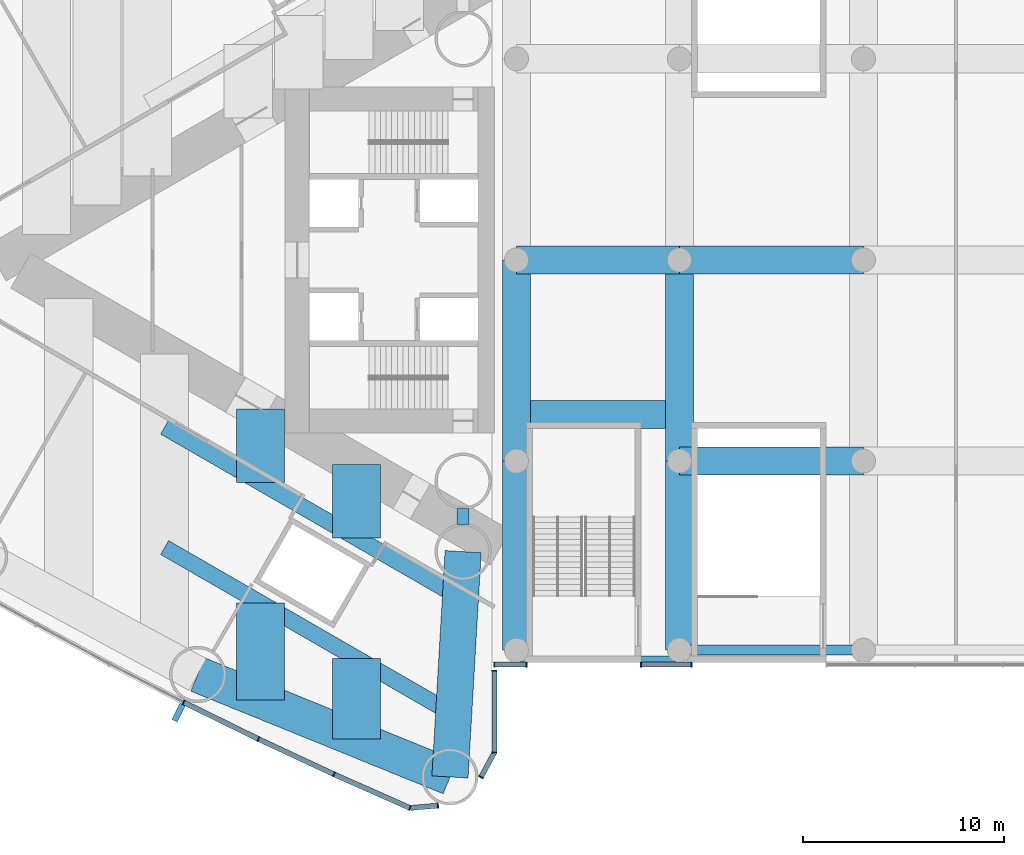
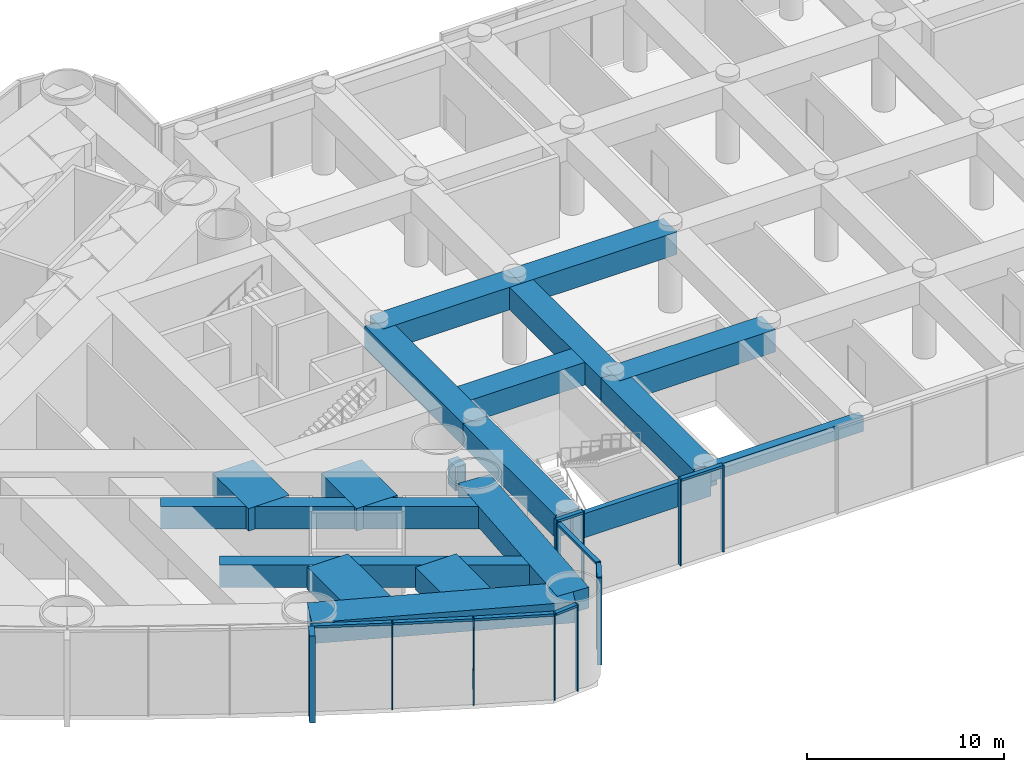
# One storey, part 3 of 20: 21 members, 19 beams, 4 elements without a shape of their own.
"""IFC4 building model written with IfcOpenShell, lengths in metres."""

from ifc_helpers import new_model, si_unit, direction, frame, origin, origin_2d, place, context, subcontext, project, spatial, rectangle, hollow_rectangle, extrude, material, material_profile, profile_set, type_object, element, aggregate, save


model = new_model("IFC4")

# Units and contexts
model_context = context("Model", 3, precision=1e-05, world=origin(), true_north=direction((0.0, 1.0)))
body_context = subcontext(model_context, "Body", "Model", "MODEL_VIEW")
ifc_project = project(units=[si_unit("LENGTHUNIT", "METRE"), si_unit("AREAUNIT", "SQUARE_METRE"), si_unit("VOLUMEUNIT", "CUBIC_METRE"), si_unit("PLANEANGLEUNIT", "RADIAN"), si_unit("MASSUNIT", "GRAM", prefix="KILO")], contexts=[model_context])

# Site, building, storey
site_placement = place(None, origin())
site = spatial("IfcSite", under=ifc_project, at=site_placement, CompositionType="ELEMENT")
building_placement = place(site_placement, origin())
building = spatial("IfcBuilding", under=site, at=building_placement, Name="Lancet Gate Hotel", CompositionType="ELEMENT")
storey_placement = place(building_placement, frame((0.0, 0.0, 7.199951171875)))
storey = spatial("IfcBuildingStorey", under=building, at=storey_placement, Name="L01", CompositionType="ELEMENT", Elevation=7.199951171875)

# Curtain wall, members
ifc_material_1 = material(Name="Aluminium curtain wall", Category="aluminium")
curtain_wall_type = type_object("IfcCurtainWallType", Name="Podium curtain wall", PredefinedType="USERDEFINED", material=ifc_material_1)
curtain_wall_1_placement = place(storey_placement, origin())
curtain_wall_1 = element("IfcCurtainWall", 1, at=curtain_wall_1_placement, inside=storey, type_object=curtain_wall_type, Name="T1 L01 curtain wall 3", ObjectType="UNITISED CURTAIN WALL", PredefinedType="USERDEFINED")
ifc_material_2 = material(Name="Aluminium mullion", Category="aluminium")
ifc_material_profile_1 = material_profile(ifc_material_2, rectangle(XDim=0.06494140625, YDim=0.25, at=origin_2d()), Name="MULLION 65x250")
ifc_profile_set_1 = profile_set([ifc_material_profile_1], Name="Aluminium mullion")
member_type_1 = type_object("IfcMemberType", Name="Aluminium mullion 65x250", PredefinedType="MULLION", material=ifc_profile_set_1)
member_1_placement = place(storey_placement, frame((-42.94189453125, -21.991943359375, 0.0), z_axis=(0.0, 0.0, 1.0), x_axis=(0.893291549794, -0.449477704748, 0.0)))
member_1 = element("IfcMember", 2, at=member_1_placement, type_object=member_type_1, Name="T1 L01 curtain wall 3 mullion 11", PredefinedType="MULLION", context=body_context, shape_type="SweptSolid", body=[
    extrude(rectangle(XDim=0.06494140625, YDim=0.25, at=origin_2d()), origin(), (0.0, 0.0, 1.0), 5.400146484375),
])
member_2_placement = place(storey_placement, frame((-39.225341796875, -23.816650390625, 0.0), z_axis=(0.0, 0.0, 1.0), x_axis=(0.901928838337, -0.431884672772, 0.0)))
member_2 = element("IfcMember", 3, at=member_2_placement, type_object=member_type_1, Name="T1 L01 curtain wall 3 mullion 12", PredefinedType="MULLION", context=body_context, shape_type="SweptSolid", body=[
    extrude(rectangle(XDim=0.06494140625, YDim=0.25, at=origin_2d()), origin(), (0.0, 0.0, 1.0), 5.400146484375),
])
member_3_placement = place(storey_placement, frame((-35.473876953125, -25.568115234375, 0.0), z_axis=(0.0, 0.0, 1.0), x_axis=(0.910219680212, -0.414125746308, 0.0)))
member_3 = element("IfcMember", 4, at=member_3_placement, type_object=member_type_1, Name="T1 L01 curtain wall 3 mullion 13", PredefinedType="MULLION", context=body_context, shape_type="SweptSolid", body=[
    extrude(rectangle(XDim=0.06494140625, YDim=0.25, at=origin_2d()), origin(), (0.0, 0.0, 1.0), 5.400146484375),
])
member_4_placement = place(storey_placement, frame((-31.688720703125, -27.24560546875, 0.0), z_axis=(0.0, 0.0, 1.0), x_axis=(0.957524354695, -0.288352406209, 0.0)))
member_4 = element("IfcMember", 5, at=member_4_placement, type_object=member_type_1, Name="T1 L01 curtain wall 3 mullion 14", PredefinedType="MULLION", context=body_context, shape_type="SweptSolid", body=[
    extrude(rectangle(XDim=0.06494140625, YDim=0.25, at=origin_2d()), origin(), (0.0, 0.0, 1.0), 5.400146484375),
])
member_5_placement = place(storey_placement, frame((-30.3046875, -27.124755859375, 0.0), z_axis=(0.0, 0.0, 1.0), x_axis=(0.99620380374, 0.087051602022, 0.0)))
member_5 = element("IfcMember", 6, at=member_5_placement, type_object=member_type_1, Name="T1 L01 curtain wall 3 mullion 15", PredefinedType="MULLION", context=body_context, shape_type="SweptSolid", body=[
    extrude(rectangle(XDim=0.06494140625, YDim=0.25, at=origin_2d()), origin(), (0.0, 0.0, 1.0), 5.400146484375),
])

curtain_wall_2_placement = place(storey_placement, origin())
curtain_wall_2 = element("IfcCurtainWall", 7, at=curtain_wall_2_placement, inside=storey, type_object=curtain_wall_type, Name="T1 L01 curtain wall 4", ObjectType="UNITISED CURTAIN WALL", PredefinedType="USERDEFINED")
member_6_placement = place(storey_placement, frame((-28.158935546875, -25.712890625, 0.0), z_axis=(0.0, 0.0, 1.0), x_axis=(0.474631040972, 0.880184852714, 0.0)))
member_6 = element("IfcMember", 8, at=member_6_placement, type_object=member_type_1, Name="T1 L01 curtain wall 4 mullion 1", PredefinedType="MULLION", context=body_context, shape_type="SweptSolid", body=[
    extrude(rectangle(XDim=0.06494140625, YDim=0.25, at=origin_2d()), origin(), (0.0, 0.0, 1.0), 5.400146484375),
])
member_7_placement = place(storey_placement, frame((-27.5, -24.4912109375, 0.0), z_axis=(0.0, 0.0, 1.0), x_axis=(0.123482502544, 0.992346749662, 0.0)))
member_7 = element("IfcMember", 9, at=member_7_placement, type_object=member_type_1, Name="T1 L01 curtain wall 4 mullion 2", PredefinedType="MULLION", context=body_context, shape_type="SweptSolid", body=[
    extrude(rectangle(XDim=0.06494140625, YDim=0.25, at=origin_2d()), origin(), (0.0, 0.0, 1.0), 5.400146484375),
])
member_8_placement = place(storey_placement, frame((-27.5, -20.41845703125, 0.0), z_axis=(0.0, 0.0, 1.0), x_axis=(0.0, 1.0, 0.0)))
member_8 = element("IfcMember", 10, at=member_8_placement, type_object=member_type_1, Name="T1 L01 curtain wall 4 mullion 3", PredefinedType="MULLION", context=body_context, shape_type="SweptSolid", body=[
    extrude(rectangle(XDim=0.06494140625, YDim=0.25, at=origin_2d()), origin(), (0.0, 0.0, 1.0), 5.400146484375),
])

curtain_wall_3_placement = place(storey_placement, origin())
curtain_wall_3 = element("IfcCurtainWall", 11, at=curtain_wall_3_placement, inside=storey, type_object=curtain_wall_type, Name="Podium L01 curtain wall S1", ObjectType="UNITISED CURTAIN WALL", PredefinedType="USERDEFINED")
member_9_placement = place(storey_placement, frame((-27.5, -20.1201171875, 0.0), z_axis=(0.0, 0.0, 1.0), x_axis=(1.0, 0.0, 0.0)))
member_9 = element("IfcMember", 12, at=member_9_placement, type_object=member_type_1, Name="Podium L01 curtain wall S1 mullion 1", PredefinedType="MULLION", context=body_context, shape_type="SweptSolid", body=[
    extrude(rectangle(XDim=0.06494140625, YDim=0.25, at=origin_2d()), origin(), (0.0, 0.0, 1.0), 5.400146484375),
])
member_10_placement = place(storey_placement, frame((-25.89990234375, -20.1201171875, 0.0), z_axis=(0.0, 0.0, 1.0), x_axis=(1.0, 0.0, 0.0)))
member_10 = element("IfcMember", 13, at=member_10_placement, type_object=member_type_1, Name="Podium L01 curtain wall S1 mullion 2", PredefinedType="MULLION", context=body_context, shape_type="SweptSolid", body=[
    extrude(rectangle(XDim=0.06494140625, YDim=0.25, at=origin_2d()), origin(), (0.0, 0.0, 1.0), 5.400146484375),
])

curtain_wall_4_placement = place(storey_placement, origin())
curtain_wall_4 = element("IfcCurtainWall", 14, at=curtain_wall_4_placement, inside=storey, type_object=curtain_wall_type, Name="Podium L01 curtain wall S2", ObjectType="UNITISED CURTAIN WALL", PredefinedType="USERDEFINED")
member_11_placement = place(storey_placement, frame((-20.199951171875, -20.1201171875, 0.0), z_axis=(0.0, 0.0, 1.0), x_axis=(1.0, 0.0, 0.0)))
member_11 = element("IfcMember", 15, at=member_11_placement, type_object=member_type_1, Name="Podium L01 curtain wall S2 mullion 1", PredefinedType="MULLION", context=body_context, shape_type="SweptSolid", body=[
    extrude(rectangle(XDim=0.06494140625, YDim=0.25, at=origin_2d()), origin(), (0.0, 0.0, 1.0), 5.400146484375),
])
member_12_placement = place(storey_placement, frame((-17.699951171875, -20.1201171875, 0.0), z_axis=(0.0, 0.0, 1.0), x_axis=(1.0, 0.0, 0.0)))
member_12 = element("IfcMember", 16, at=member_12_placement, type_object=member_type_1, Name="Podium L01 curtain wall S2 mullion 2", PredefinedType="MULLION", context=body_context, shape_type="SweptSolid", body=[
    extrude(rectangle(XDim=0.06494140625, YDim=0.25, at=origin_2d()), origin(), (0.0, 0.0, 1.0), 5.400146484375),
])

# Member
ifc_material_3 = material(Name="Aluminium transom", Category="aluminium")
ifc_material_profile_2 = material_profile(ifc_material_3, rectangle(XDim=0.25, YDim=0.14990234375, at=origin_2d()), Name="TRANSOM 250x150")
ifc_profile_set_2 = profile_set([ifc_material_profile_2], Name="Aluminium transom")
member_type_2 = type_object("IfcMemberType", Name="Aluminium transom 250x150", PredefinedType="USERDEFINED", material=ifc_profile_set_2)
member_13_placement = place(storey_placement, frame((-42.912841796875, -22.00634765625, 5.324951171875), z_axis=(0.897662439958, -0.440683723194, 0.0), x_axis=(0.440683723194, 0.897662439958, 0.0)))
member_13 = element("IfcMember", 17, at=member_13_placement, type_object=member_type_2, Name="T1 L01 curtain wall 3 transom 11", ObjectType="TRANSOM", PredefinedType="USERDEFINED", context=body_context, shape_type="SweptSolid", body=[
    extrude(rectangle(XDim=0.25, YDim=0.14990234375, at=origin_2d()), origin(), (0.0, 0.0, 1.0), 4.0751953125),
])

member_14_placement = place(storey_placement, frame((-39.196044921875, -23.830322265625, 5.324951171875), z_axis=(0.906109667261, -0.423042871228, 0.0), x_axis=(0.423042871228, 0.906109667261, 0.0)))
member_14 = element("IfcMember", 18, at=member_14_placement, type_object=member_type_2, Name="T1 L01 curtain wall 3 transom 12", ObjectType="TRANSOM", PredefinedType="USERDEFINED", context=body_context, shape_type="SweptSolid", body=[
    extrude(rectangle(XDim=0.25, YDim=0.14990234375, at=origin_2d()), origin(), (0.0, 0.0, 1.0), 4.075439453125),
])

member_15_placement = place(storey_placement, frame((-35.444091796875, -25.581298828125, 5.324951171875), z_axis=(0.914248281954, -0.405154389022, 0.0), x_axis=(0.405154389022, 0.914248281954, 0.0)))
member_15 = element("IfcMember", 19, at=member_15_placement, type_object=member_type_2, Name="T1 L01 curtain wall 3 transom 13", ObjectType="TRANSOM", PredefinedType="USERDEFINED", context=body_context, shape_type="SweptSolid", body=[
    extrude(rectangle(XDim=0.25, YDim=0.14990234375, at=origin_2d()), origin(), (0.0, 0.0, 1.0), 4.0751953125),
])

member_16_placement = place(storey_placement, frame((-31.65625, -27.242919921875, 5.324951171875), z_axis=(0.99620591587, 0.087027427779, 0.0), x_axis=(-0.087027427779, 0.99620591587, 0.0)))
member_16 = element("IfcMember", 20, at=member_16_placement, type_object=member_type_2, Name="T1 L01 curtain wall 3 transom 14", ObjectType="TRANSOM", PredefinedType="USERDEFINED", context=body_context, shape_type="SweptSolid", body=[
    extrude(rectangle(XDim=0.25, YDim=0.14990234375, at=origin_2d()), origin(), (0.0, 0.0, 1.0), 1.32421875),
])

member_17_placement = place(storey_placement, frame((-28.143310546875, -25.684326171875, 5.324951171875), z_axis=(0.474605926905, 0.880198394765, 0.0), x_axis=(-0.880198394765, 0.474605926905, 0.0)))
member_17 = element("IfcMember", 21, at=member_17_placement, type_object=member_type_2, Name="T1 L01 curtain wall 4 transom 1", ObjectType="TRANSOM", PredefinedType="USERDEFINED", context=body_context, shape_type="SweptSolid", body=[
    extrude(rectangle(XDim=0.25, YDim=0.14990234375, at=origin_2d()), origin(), (0.0, 0.0, 1.0), 1.322998046875),
])

member_18_placement = place(storey_placement, frame((-27.5, -24.458740234375, 5.324951171875), z_axis=(0.0, 1.0, 0.0), x_axis=(-1.0, 0.0, 0.0)))
member_18 = element("IfcMember", 22, at=member_18_placement, type_object=member_type_2, Name="T1 L01 curtain wall 4 transom 2", ObjectType="TRANSOM", PredefinedType="USERDEFINED", context=body_context, shape_type="SweptSolid", body=[
    extrude(rectangle(XDim=0.25, YDim=0.14990234375, at=origin_2d()), origin(), (0.0, 0.0, 1.0), 4.0078125),
])

aggregate(curtain_wall_2, [member_6, member_7, member_8, member_17, member_18])

member_19_placement = place(storey_placement, frame((-27.467529296875, -20.1201171875, 5.324951171875), z_axis=(1.0, 0.0, 0.0), x_axis=(0.0, 1.0, 0.0)))
member_19 = element("IfcMember", 23, at=member_19_placement, type_object=member_type_2, Name="Podium L01 curtain wall S1 transom 1", ObjectType="TRANSOM", PredefinedType="USERDEFINED", context=body_context, shape_type="SweptSolid", body=[
    extrude(rectangle(XDim=0.25, YDim=0.14990234375, at=origin_2d()), origin(), (0.0, 0.0, 1.0), 1.534912109375),
])

aggregate(curtain_wall_3, [member_9, member_10, member_19])

member_20_placement = place(storey_placement, frame((-20.16748046875, -20.1201171875, 5.324951171875), z_axis=(1.0, 0.0, 0.0), x_axis=(0.0, 1.0, 0.0)))
member_20 = element("IfcMember", 24, at=member_20_placement, type_object=member_type_2, Name="Podium L01 curtain wall S2 transom 1", ObjectType="TRANSOM", PredefinedType="USERDEFINED", context=body_context, shape_type="SweptSolid", body=[
    extrude(rectangle(XDim=0.25, YDim=0.14990234375, at=origin_2d()), origin(), (0.0, 0.0, 1.0), 2.43505859375),
])

aggregate(curtain_wall_4, [member_11, member_12, member_20])

# Beams
ifc_material_4 = material(Name="Concrete C50/60", Category="concrete")
ifc_material_profile_3 = material_profile(ifc_material_4, rectangle(XDim=1.800048828125, YDim=1.300048828125, at=origin_2d()), Name="RC 1800x1300")
ifc_profile_set_3 = profile_set([ifc_material_profile_3], Name="Concrete C50/60")
beam_type_1 = type_object("IfcBeamType", Name="Edge beam RC 1800x1300", PredefinedType="SPANDREL", material=ifc_profile_set_3)
beam_1_placement = place(storey_placement, frame((-42.2451171875, -20.607421875, 4.400146484375), z_axis=(0.926463236197, -0.376385270667, 0.0), x_axis=(0.376385270667, 0.926463236197, 0.0)))
element("IfcBeam", 25, at=beam_1_placement, inside=storey, type_object=beam_type_1, Name="T1 edge beam EB1 L01", PredefinedType="SPANDREL", context=body_context, shape_type="SweptSolid", body=[
    extrude(rectangle(XDim=1.800048828125, YDim=1.300048828125, at=origin_2d()), origin(), (0.0, 0.0, 1.0), 13.537353515625),
])
beam_2_placement = place(storey_placement, frame((-29.050048828125, -14.5, 4.400146484375), z_axis=(-0.058219521912, -0.998303805096, 0.0), x_axis=(0.998303805096, -0.058219521912, 0.0)))
element("IfcBeam", 26, at=beam_2_placement, inside=storey, type_object=beam_type_1, Name="T1 edge beam EB1 L01", PredefinedType="SPANDREL", context=body_context, shape_type="SweptSolid", body=[
    extrude(rectangle(XDim=1.800048828125, YDim=1.300048828125, at=origin_2d()), origin(), (0.0, 0.0, 1.0), 11.2216796875),
])

# Member
ifc_material_5 = material(Name="Precast concrete C50/60", Category="concrete")
ifc_material_profile_4 = material_profile(ifc_material_5, rectangle(XDim=0.300048828125, YDim=0.89990234375, at=origin_2d()), Name="FIN 300x900")
ifc_profile_set_4 = profile_set([ifc_material_profile_4], Name="Precast concrete C50/60")
member_type_3 = type_object("IfcMemberType", Name="Exposed concrete fin 300x900", PredefinedType="USERDEFINED", material=ifc_profile_set_4)
member_21_placement = place(storey_placement, frame((-43.200439453125, -22.505615234375, 0.0), z_axis=(0.0, 0.0, 1.0), x_axis=(0.893291549794, -0.449477704748, 0.0)))
member_21 = element("IfcMember", 27, at=member_21_placement, type_object=member_type_3, Name="T1 L01 curtain wall 3 fin 11", ObjectType="FIN", PredefinedType="USERDEFINED", context=body_context, shape_type="SweptSolid", body=[
    extrude(rectangle(XDim=0.300048828125, YDim=0.89990234375, at=origin_2d()), origin(), (0.0, 0.0, 1.0), 5.400146484375),
])

aggregate(curtain_wall_1, [member_1, member_21, member_2, member_3, member_4, member_5, member_13, member_14, member_15, member_16])

# Beams
ifc_material_6 = material(Name="Concrete C50/60", Category="concrete")
ifc_material_profile_5 = material_profile(ifc_material_6, rectangle(XDim=2.39990234375, YDim=1.39990234375, at=origin_2d()), Name="RC 2400x1400")
ifc_profile_set_5 = profile_set([ifc_material_profile_5], Name="Concrete C50/60")
beam_type_2 = type_object("IfcBeamType", Name="Floor beam RC 2400x1400", PredefinedType="BEAM", material=ifc_profile_set_5)
beam_3_placement = place(storey_placement, frame((-34.353515625, -10.169921875, 4.35009765625), z_axis=(0.0, -1.0, 0.0), x_axis=(1.0, 0.0, 0.0)))
element("IfcBeam", 28, at=beam_3_placement, inside=storey, type_object=beam_type_2, Name="T1 floor beam F03NA L01", PredefinedType="BEAM", context=body_context, shape_type="SweptSolid", body=[
    extrude(rectangle(XDim=2.39990234375, YDim=1.39990234375, at=origin_2d()), origin(), (0.0, 0.0, 1.0), 3.645751953125),
])
beam_4_placement = place(storey_placement, frame((-34.353515625, -19.802978515625, 4.35009765625), z_axis=(0.0, -1.0, 0.0), x_axis=(1.0, 0.0, 0.0)))
element("IfcBeam", 29, at=beam_4_placement, inside=storey, type_object=beam_type_2, Name="T1 floor beam F03NB L01", PredefinedType="BEAM", context=body_context, shape_type="SweptSolid", body=[
    extrude(rectangle(XDim=2.39990234375, YDim=1.39990234375, at=origin_2d()), origin(), (0.0, 0.0, 1.0), 4.010498046875),
])
beam_5_placement = place(storey_placement, frame((-39.122314453125, -7.41650390625, 4.35009765625), z_axis=(0.0, -1.0, 0.0), x_axis=(1.0, 0.0, 0.0)))
element("IfcBeam", 30, at=beam_5_placement, inside=storey, type_object=beam_type_2, Name="T1 floor beam F06NA L01", PredefinedType="BEAM", context=body_context, shape_type="SweptSolid", body=[
    extrude(rectangle(XDim=2.39990234375, YDim=1.39990234375, at=origin_2d()), origin(), (0.0, 0.0, 1.0), 3.64599609375),
])
beam_6_placement = place(storey_placement, frame((-39.122314453125, -17.0498046875, 4.35009765625), z_axis=(0.0, -1.0, 0.0), x_axis=(1.0, 0.0, 0.0)))
element("IfcBeam", 31, at=beam_6_placement, inside=storey, type_object=beam_type_2, Name="T1 floor beam F06NB L01", PredefinedType="BEAM", context=body_context, shape_type="SweptSolid", body=[
    extrude(rectangle(XDim=2.39990234375, YDim=1.39990234375, at=origin_2d()), origin(), (0.0, 0.0, 1.0), 4.826416015625),
])
ifc_material_7 = material(Name="Steel S460QL", Category="steel")
ifc_material_profile_6 = material_profile(ifc_material_7, hollow_rectangle(XDim=0.60009765625, YDim=1.5, WallThickness=0.050048828125, at=origin_2d()), Name="BOX 1500x600x50")
ifc_profile_set_6 = profile_set([ifc_material_profile_6], Name="Steel S460QL")
beam_type_3 = type_object("IfcBeamType", Name="Inner-face link beam BOX 1500x600x50", PredefinedType="BEAM", material=ifc_profile_set_6)
beam_7_placement = place(storey_placement, frame((-29.050048828125, -12.35009765625, 4.300048828125), z_axis=(0.0, -1.0, 0.0), x_axis=(1.0, 0.0, 0.0)))
element("IfcBeam", 32, at=beam_7_placement, inside=storey, type_object=beam_type_3, Name="T1 inner-face link beam LK1 L01", PredefinedType="BEAM", context=body_context, shape_type="SweptSolid", body=[
    extrude(hollow_rectangle(XDim=0.60009765625, YDim=1.5, WallThickness=0.050048828125, at=origin_2d()), origin(), (0.0, 0.0, 1.0), 0.7998046875),
])
ifc_material_8 = material(Name="Concrete C50/60", Category="concrete")
ifc_material_profile_7 = material_profile(ifc_material_8, rectangle(XDim=1.39990234375, YDim=1.39990234375, at=origin_2d()), Name="RC 1400x1400")
ifc_profile_set_7 = profile_set([ifc_material_profile_7], Name="Concrete C50/60")
beam_type_4 = type_object("IfcBeamType", Name="Podium beam RC 1400x1400", PredefinedType="BEAM", material=ifc_profile_set_7)
beam_8_placement = place(storey_placement, frame((-18.300048828125, -10.0, 4.35009765625), z_axis=(1.0, 0.0, 0.0), x_axis=(0.0, 1.0, 0.0)))
element("IfcBeam", 33, at=beam_8_placement, inside=storey, type_object=beam_type_4, Name="Podium beam B/2-3 L01", PredefinedType="BEAM", context=body_context, shape_type="SweptSolid", body=[
    extrude(rectangle(XDim=1.39990234375, YDim=1.39990234375, at=origin_2d()), origin(), (0.0, 0.0, 1.0), 9.150146484375),
])
beam_9_placement = place(storey_placement, frame((-26.39990234375, 0.0, 4.35009765625), z_axis=(1.0, 0.0, 0.0), x_axis=(0.0, 1.0, 0.0)))
element("IfcBeam", 34, at=beam_9_placement, inside=storey, type_object=beam_type_4, Name="Podium beam C/1-2 L01", PredefinedType="BEAM", context=body_context, shape_type="SweptSolid", body=[
    extrude(rectangle(XDim=1.39990234375, YDim=1.39990234375, at=origin_2d()), origin(), (0.0, 0.0, 1.0), 8.099853515625),
])
beam_10_placement = place(storey_placement, frame((-18.300048828125, 0.0, 4.35009765625), z_axis=(1.0, 0.0, 0.0), x_axis=(0.0, 1.0, 0.0)))
element("IfcBeam", 35, at=beam_10_placement, inside=storey, type_object=beam_type_4, Name="Podium beam C/2-3 L01", PredefinedType="BEAM", context=body_context, shape_type="SweptSolid", body=[
    extrude(rectangle(XDim=1.39990234375, YDim=1.39990234375, at=origin_2d()), origin(), (0.0, 0.0, 1.0), 9.150146484375),
])
beam_11_placement = place(storey_placement, frame((-25.699951171875, -7.679931640625, 4.35009765625), z_axis=(1.0, 0.0, 0.0), x_axis=(0.0, 1.0, 0.0)))
element("IfcBeam", 36, at=beam_11_placement, inside=storey, type_object=beam_type_4, Name="Podium trimmer beam PS6 L01", PredefinedType="BEAM", context=body_context, shape_type="SweptSolid", body=[
    extrude(rectangle(XDim=1.39990234375, YDim=1.39990234375, at=origin_2d()), origin(), (0.0, 0.0, 1.0), 6.699951171875),
])
beam_12_placement = place(storey_placement, frame((-26.39990234375, -19.39990234375, 4.35009765625), z_axis=(0.0, 1.0, 0.0), x_axis=(-1.0, 0.0, 0.0)))
element("IfcBeam", 37, at=beam_12_placement, inside=storey, type_object=beam_type_4, Name="Podium beam 1/A-B L01", PredefinedType="BEAM", context=body_context, shape_type="SweptSolid", body=[
    extrude(rectangle(XDim=1.39990234375, YDim=1.39990234375, at=origin_2d()), origin(), (0.0, 0.0, 1.0), 9.39990234375),
])
beam_13_placement = place(storey_placement, frame((-26.39990234375, -10.0, 4.35009765625), z_axis=(0.0, 1.0, 0.0), x_axis=(-1.0, 0.0, 0.0)))
element("IfcBeam", 38, at=beam_13_placement, inside=storey, type_object=beam_type_4, Name="Podium beam 1/B-C L01", PredefinedType="BEAM", context=body_context, shape_type="SweptSolid", body=[
    extrude(rectangle(XDim=1.39990234375, YDim=1.39990234375, at=origin_2d()), origin(), (0.0, 0.0, 1.0), 10.0),
])
beam_14_placement = place(storey_placement, frame((-18.300048828125, -19.39990234375, 4.35009765625), z_axis=(0.0, 1.0, 0.0), x_axis=(-1.0, 0.0, 0.0)))
element("IfcBeam", 39, at=beam_14_placement, inside=storey, type_object=beam_type_4, Name="Podium beam 2/A-B L01", PredefinedType="BEAM", context=body_context, shape_type="SweptSolid", body=[
    extrude(rectangle(XDim=1.39990234375, YDim=1.39990234375, at=origin_2d()), origin(), (0.0, 0.0, 1.0), 9.39990234375),
])
beam_15_placement = place(storey_placement, frame((-18.300048828125, -10.0, 4.35009765625), z_axis=(0.0, 1.0, 0.0), x_axis=(-1.0, 0.0, 0.0)))
element("IfcBeam", 40, at=beam_15_placement, inside=storey, type_object=beam_type_4, Name="Podium beam 2/B-C L01", PredefinedType="BEAM", context=body_context, shape_type="SweptSolid", body=[
    extrude(rectangle(XDim=1.39990234375, YDim=1.39990234375, at=origin_2d()), origin(), (0.0, 0.0, 1.0), 10.0),
])
ifc_material_9 = material(Name="Concrete C50/60", Category="concrete")
ifc_material_profile_8 = material_profile(ifc_material_9, rectangle(XDim=0.5, YDim=0.89990234375, at=origin_2d()), Name="RC 500x900")
ifc_profile_set_8 = profile_set([ifc_material_profile_8], Name="Concrete C50/60")
beam_type_5 = type_object("IfcBeamType", Name="Podium edge beam RC 500x900", PredefinedType="BEAM", material=ifc_profile_set_8)
beam_16_placement = place(storey_placement, frame((-18.300048828125, -19.39990234375, 4.60009765625), z_axis=(1.0, 0.0, 0.0), x_axis=(0.0, 1.0, 0.0)))
element("IfcBeam", 41, at=beam_16_placement, inside=storey, type_object=beam_type_5, Name="Podium beam A/2-3 L01", PredefinedType="BEAM", context=body_context, shape_type="SweptSolid", body=[
    extrude(rectangle(XDim=0.5, YDim=0.89990234375, at=origin_2d()), origin(), (0.0, 0.0, 1.0), 9.150146484375),
])
ifc_material_10 = material(Name="Concrete C50/60", Category="concrete")
ifc_material_profile_9 = material_profile(ifc_material_10, rectangle(XDim=0.300048828125, YDim=1.5, at=origin_2d()), Name="RC 300x1500")
ifc_profile_set_9 = profile_set([ifc_material_profile_9], Name="Concrete C50/60")
beam_type_6 = type_object("IfcBeamType", Name="Podium stair transfer beam RC 300x1500", PredefinedType="BEAM", material=ifc_profile_set_9)
beam_17_placement = place(storey_placement, frame((-26.39990234375, -19.85009765625, 4.300048828125), z_axis=(1.0, 0.0, 0.0), x_axis=(0.0, 1.0, 0.0)))
element("IfcBeam", 42, at=beam_17_placement, inside=storey, type_object=beam_type_6, Name="Podium beam A/1-2 L01", PredefinedType="BEAM", context=body_context, shape_type="SweptSolid", body=[
    extrude(rectangle(XDim=0.300048828125, YDim=1.5, at=origin_2d()), origin(), (0.0, 0.0, 1.0), 8.099853515625),
])
ifc_material_11 = material(Name="Steel S460QL", Category="steel")
ifc_material_profile_10 = material_profile(ifc_material_11, hollow_rectangle(XDim=0.800048828125, YDim=1.39990234375, WallThickness=0.080078125, at=origin_2d()), Name="BOX 1400x800x80")
ifc_profile_set_10 = profile_set([ifc_material_profile_10], Name="Steel S460QL")
beam_type_7 = type_object("IfcBeamType", Name="Trimmer beam BOX 1400x800x80", PredefinedType="BEAM", material=ifc_profile_set_10)
for number, where, z_axis, x_axis, name in (
    (43, (-29.58447265625, -22.55615234375, 4.35009765625), (-0.866040141834, 0.49997447208, 0.0), (-0.49997447208, -0.866040141834, 0.0), "T1 trimmer beam TR03N L01"),
    (44, (-29.58447265625, -16.56884765625, 4.35009765625), (-0.866040141834, 0.49997447208, 0.0), (-0.49997447208, -0.866040141834, 0.0), "T1 trimmer beam TR04N L01"),
):
    element("IfcBeam", number, at=place(storey_placement, frame(where, z_axis=z_axis, x_axis=x_axis)), inside=storey, type_object=beam_type_7, Name=name, PredefinedType="BEAM", context=body_context, shape_type="SweptSolid", body=[
        extrude(hollow_rectangle(XDim=0.800048828125, YDim=1.39990234375, WallThickness=0.080078125, at=origin_2d()), origin(), (0.0, 0.0, 1.0), 16.519775390625),
    ])

save(model, "model.ifc")
